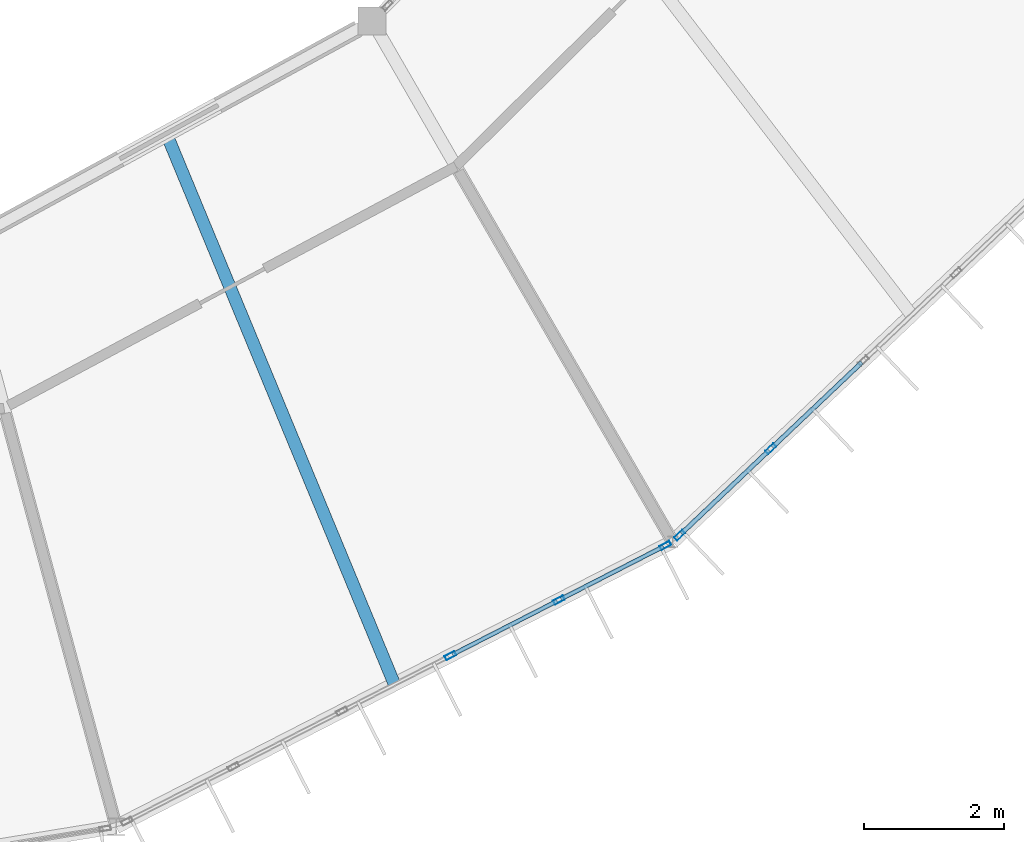
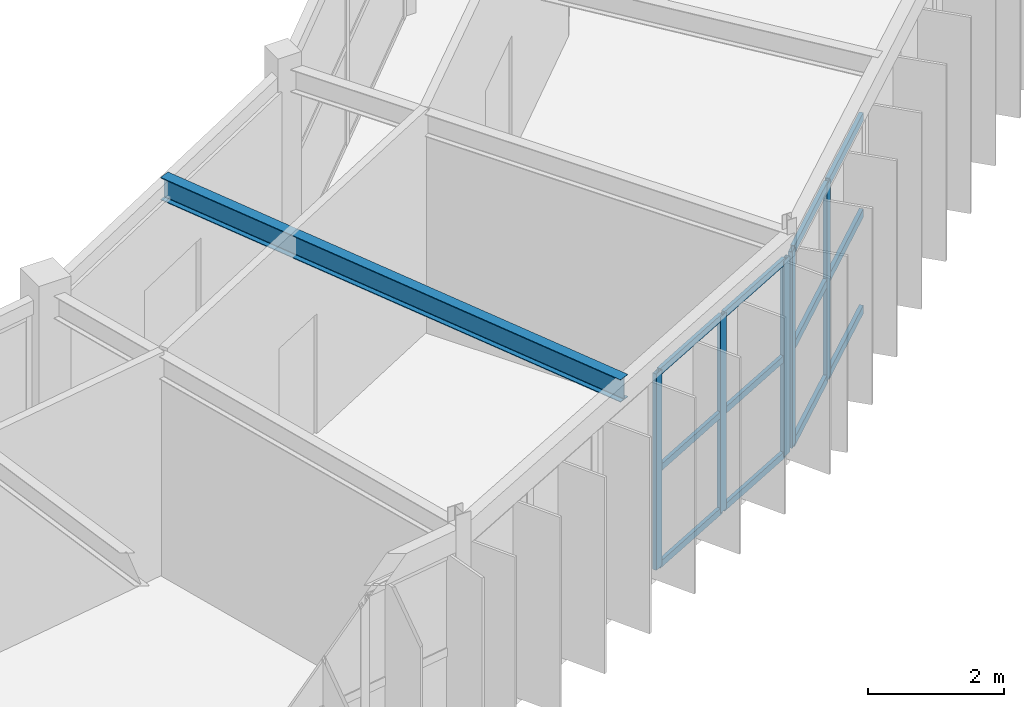
# One storey, part 35 of 106: 17 members, 1 beam, 2 elements without a shape of their own.
"""IFC4 building model written with IfcOpenShell, lengths in metres."""

from ifc_helpers import new_model, si_unit, direction, frame, origin, origin_2d, place, context, subcontext, project, spatial, hollow_rectangle, i_section, extrude, material, material_profile, profile_set, type_object, element, aggregate, save


model = new_model("IFC4")

# Units and contexts
model_context = context("Model", 3, precision=1e-05, world=origin(), true_north=direction((0.0, 1.0)))
body_context = subcontext(model_context, "Body", "Model", "MODEL_VIEW")
ifc_project = project(units=[si_unit("LENGTHUNIT", "METRE"), si_unit("AREAUNIT", "SQUARE_METRE"), si_unit("VOLUMEUNIT", "CUBIC_METRE"), si_unit("PLANEANGLEUNIT", "RADIAN"), si_unit("MASSUNIT", "GRAM", prefix="KILO")], contexts=[model_context])

# Site, building, storey
site_placement = place(None, origin())
site = spatial("IfcSite", under=ifc_project, at=site_placement, CompositionType="ELEMENT")
building_placement = place(site_placement, origin())
building = spatial("IfcBuilding", under=site, at=building_placement, Name="Karori Crest Natural Sciences Institute", CompositionType="ELEMENT")
storey_placement = place(building_placement, frame((0.0, 0.0, 25.89990234375)))
storey = spatial("IfcBuildingStorey", under=building, at=storey_placement, Name="L06", CompositionType="ELEMENT", Elevation=25.89990234375)

# Beam
ifc_material_1 = material(Name="Structural steel AS/NZS 3679.1 Grade 350", Category="steel")
ifc_material_profile_1 = material_profile(ifc_material_1, i_section(OverallWidth=0.177978515625, OverallDepth=0.406005859375, WebThickness=0.0078125, FlangeThickness=0.0126953125, FilletRadius=0.010986328125, at=origin_2d()), Name="410UB59.7")
ifc_profile_set_1 = profile_set([ifc_material_profile_1], Name="Structural steel AS/NZS 3679.1 Grade 350")
beam_type = type_object("IfcBeamType", Name="BT-07", PredefinedType="BEAM", material=ifc_profile_set_1)
beam_placement = place(storey_placement, frame((75.65771484375, 20.405517578125, 3.739990234375), z_axis=(0.382668753356, -0.923885612619, 0.0), x_axis=(0.923885612619, 0.382668753356, 0.0)))
element("IfcBeam", 1, at=beam_placement, inside=storey, type_object=beam_type, Name="Beam B-2900", PredefinedType="BEAM", context=body_context, shape_type="SweptSolid", body=[
    extrude(i_section(OverallWidth=0.177978515625, OverallDepth=0.406005859375, WebThickness=0.0078125, FlangeThickness=0.0126953125, FilletRadius=0.010986328125, at=origin_2d()), origin(), (0.0, 0.0, 1.0), 8.526123046875),
])

# Curtain wall, members
ifc_material_2 = material(Name="Anodised architectural aluminium 6063-T6", Category="aluminium")
curtain_wall_type_1 = type_object("IfcCurtainWallType", Name="CWT-10", PredefinedType="NOTDEFINED", material=ifc_material_2)
curtain_wall_1_placement = place(storey_placement, origin())
curtain_wall_1 = element("IfcCurtainWall", 2, at=curtain_wall_1_placement, inside=storey, type_object=curtain_wall_type_1, Name="Curtain wall CW-0213", PredefinedType="NOTDEFINED")
ifc_material_profile_2 = material_profile(ifc_material_2, hollow_rectangle(XDim=0.06494140625, YDim=0.159912109375, WallThickness=0.00390625, at=origin_2d()), Name="CWM160x65x4")
ifc_profile_set_2 = profile_set([ifc_material_profile_2], Name="Anodised architectural aluminium 6063-T6")
member_type_1 = type_object("IfcMemberType", Name="CWM-01", PredefinedType="MULLION", material=ifc_profile_set_2)
member_1_placement = place(storey_placement, frame((82.7958984375, 14.512939453125, 0.0), z_axis=(0.0, 0.0, 1.0), x_axis=(0.455828878252, -0.890067432138, 0.0)))
member_1 = element("IfcMember", 3, at=member_1_placement, type_object=member_type_1, Name="CW-0213 mullion 1", PredefinedType="MULLION", context=body_context, shape_type="SweptSolid", body=[
    extrude(hollow_rectangle(XDim=0.06494140625, YDim=0.159912109375, WallThickness=0.00390625, at=origin_2d()), origin(), (0.0, 0.0, 1.0), 3.525146484375),
])
member_2_placement = place(storey_placement, frame((81.273193359375, 13.73291015625, 0.0), z_axis=(0.0, 0.0, 1.0), x_axis=(0.455828878252, -0.890067432138, 0.0)))
member_2 = element("IfcMember", 4, at=member_2_placement, type_object=member_type_1, Name="CW-0213 mullion 2", PredefinedType="MULLION", context=body_context, shape_type="SweptSolid", body=[
    extrude(hollow_rectangle(XDim=0.06494140625, YDim=0.159912109375, WallThickness=0.00390625, at=origin_2d()), origin(), (0.0, 0.0, 1.0), 3.525146484375),
])
member_3_placement = place(storey_placement, frame((79.721435546875, 12.938232421875, 0.0), z_axis=(0.0, 0.0, 1.0), x_axis=(0.455828878252, -0.890067432138, 0.0)))
member_3 = element("IfcMember", 5, at=member_3_placement, type_object=member_type_1, Name="CW-0213 mullion 3", PredefinedType="MULLION", context=body_context, shape_type="SweptSolid", body=[
    extrude(hollow_rectangle(XDim=0.06494140625, YDim=0.159912109375, WallThickness=0.00390625, at=origin_2d()), origin(), (0.0, 0.0, 1.0), 3.525146484375),
])

curtain_wall_type_2 = type_object("IfcCurtainWallType", Name="CWT-01", PredefinedType="NOTDEFINED", material=ifc_material_2)
curtain_wall_2_placement = place(storey_placement, origin())
curtain_wall_2 = element("IfcCurtainWall", 6, at=curtain_wall_2_placement, inside=storey, type_object=curtain_wall_type_2, Name="Curtain wall CW-0214", PredefinedType="NOTDEFINED")
member_4_placement = place(storey_placement, frame((84.302001953125, 15.896240234375, 0.0), z_axis=(0.0, 0.0, 1.0), x_axis=(0.688250542104, -0.725473081026, 0.0)))
member_4 = element("IfcMember", 7, at=member_4_placement, type_object=member_type_1, Name="CW-0214 mullion 5", PredefinedType="MULLION", context=body_context, shape_type="SweptSolid", body=[
    extrude(hollow_rectangle(XDim=0.06494140625, YDim=0.159912109375, WallThickness=0.00390625, at=origin_2d()), origin(), (0.0, 0.0, 1.0), 3.525146484375),
])
member_5_placement = place(storey_placement, frame((82.9990234375, 14.66015625, 0.0), z_axis=(0.0, 0.0, 1.0), x_axis=(0.688250542104, -0.725473081026, 0.0)))
member_5 = element("IfcMember", 8, at=member_5_placement, type_object=member_type_1, Name="CW-0214 mullion 6", PredefinedType="MULLION", context=body_context, shape_type="SweptSolid", body=[
    extrude(hollow_rectangle(XDim=0.06494140625, YDim=0.159912109375, WallThickness=0.00390625, at=origin_2d()), origin(), (0.0, 0.0, 1.0), 3.525146484375),
])

# Member
ifc_material_profile_3 = material_profile(ifc_material_2, hollow_rectangle(XDim=0.06005859375, YDim=0.1201171875, WallThickness=0.00390625, at=origin_2d()), Name="CWT120x60x4")
ifc_profile_set_3 = profile_set([ifc_material_profile_3], Name="Anodised architectural aluminium 6063-T6")
member_type_2 = type_object("IfcMemberType", Name="CWT-TR1", PredefinedType="USERDEFINED", material=ifc_profile_set_3)
member_6_placement = place(storey_placement, frame((82.766845703125, 14.498046875, 0.030029296875), z_axis=(-0.890053640935, -0.455855806432, 0.0), x_axis=(0.455855806432, -0.890053640935, 0.0)))
member_6 = element("IfcMember", 9, at=member_6_placement, type_object=member_type_2, Name="CW-0213 transom 1.1", ObjectType="TRANSOM", PredefinedType="USERDEFINED", context=body_context, shape_type="SweptSolid", body=[
    extrude(hollow_rectangle(XDim=0.06005859375, YDim=0.1201171875, WallThickness=0.00390625, at=origin_2d()), origin(), (0.0, 0.0, 1.0), 1.645751953125),
])

member_7_placement = place(storey_placement, frame((82.766845703125, 14.498046875, 1.7626953125), z_axis=(-0.890053640935, -0.455855806432, 0.0), x_axis=(0.455855806432, -0.890053640935, 0.0)))
member_7 = element("IfcMember", 10, at=member_7_placement, type_object=member_type_2, Name="CW-0213 transom 1.2", ObjectType="TRANSOM", PredefinedType="USERDEFINED", context=body_context, shape_type="SweptSolid", body=[
    extrude(hollow_rectangle(XDim=0.06005859375, YDim=0.1201171875, WallThickness=0.00390625, at=origin_2d()), origin(), (0.0, 0.0, 1.0), 1.645751953125),
])

member_8_placement = place(storey_placement, frame((82.766845703125, 14.498046875, 3.4951171875), z_axis=(-0.890053640935, -0.455855806432, 0.0), x_axis=(0.455855806432, -0.890053640935, 0.0)))
member_8 = element("IfcMember", 11, at=member_8_placement, type_object=member_type_2, Name="CW-0213 transom 1.3", ObjectType="TRANSOM", PredefinedType="USERDEFINED", context=body_context, shape_type="SweptSolid", body=[
    extrude(hollow_rectangle(XDim=0.06005859375, YDim=0.1201171875, WallThickness=0.00390625, at=origin_2d()), origin(), (0.0, 0.0, 1.0), 1.645751953125),
])

member_9_placement = place(storey_placement, frame((81.244140625, 13.71826171875, 0.030029296875), z_axis=(-0.890050562189, -0.455861817601, 0.0), x_axis=(0.455861817601, -0.890050562189, 0.0)))
member_9 = element("IfcMember", 12, at=member_9_placement, type_object=member_type_2, Name="CW-0213 transom 2.1", ObjectType="TRANSOM", PredefinedType="USERDEFINED", context=body_context, shape_type="SweptSolid", body=[
    extrude(hollow_rectangle(XDim=0.06005859375, YDim=0.1201171875, WallThickness=0.00390625, at=origin_2d()), origin(), (0.0, 0.0, 1.0), 1.678466796875),
])

member_10_placement = place(storey_placement, frame((81.244140625, 13.71826171875, 1.7626953125), z_axis=(-0.890050562189, -0.455861817601, 0.0), x_axis=(0.455861817601, -0.890050562189, 0.0)))
member_10 = element("IfcMember", 13, at=member_10_placement, type_object=member_type_2, Name="CW-0213 transom 2.2", ObjectType="TRANSOM", PredefinedType="USERDEFINED", context=body_context, shape_type="SweptSolid", body=[
    extrude(hollow_rectangle(XDim=0.06005859375, YDim=0.1201171875, WallThickness=0.00390625, at=origin_2d()), origin(), (0.0, 0.0, 1.0), 1.678466796875),
])

member_11_placement = place(storey_placement, frame((81.244140625, 13.71826171875, 3.4951171875), z_axis=(-0.890050562189, -0.455861817601, 0.0), x_axis=(0.455861817601, -0.890050562189, 0.0)))
member_11 = element("IfcMember", 14, at=member_11_placement, type_object=member_type_2, Name="CW-0213 transom 2.3", ObjectType="TRANSOM", PredefinedType="USERDEFINED", context=body_context, shape_type="SweptSolid", body=[
    extrude(hollow_rectangle(XDim=0.06005859375, YDim=0.1201171875, WallThickness=0.00390625, at=origin_2d()), origin(), (0.0, 0.0, 1.0), 1.678466796875),
])

aggregate(curtain_wall_1, [member_1, member_2, member_3, member_6, member_7, member_8, member_9, member_10, member_11])

ifc_material_profile_4 = material_profile(ifc_material_2, hollow_rectangle(XDim=0.06494140625, YDim=0.14990234375, WallThickness=0.00390625, at=origin_2d()), Name="CWT150x65x4")
ifc_profile_set_4 = profile_set([ifc_material_profile_4], Name="Anodised architectural aluminium 6063-T6")
member_type_3 = type_object("IfcMemberType", Name="CWT-TR2", PredefinedType="USERDEFINED", material=ifc_profile_set_4)
member_12_placement = place(storey_placement, frame((85.60498046875, 17.13232421875, 0.03271484375), z_axis=(-0.725483196334, -0.688239879575, 0.0), x_axis=(0.688239879575, -0.725483196334, 0.0)))
member_12 = element("IfcMember", 15, at=member_12_placement, type_object=member_type_3, Name="CW-0214 transom 4.1", ObjectType="TRANSOM", PredefinedType="USERDEFINED", context=body_context, shape_type="SweptSolid", body=[
    extrude(hollow_rectangle(XDim=0.06494140625, YDim=0.14990234375, WallThickness=0.00390625, at=origin_2d()), origin(), (0.0, 0.0, 1.0), 1.763427734375),
])

member_13_placement = place(storey_placement, frame((85.60498046875, 17.13232421875, 1.7626953125), z_axis=(-0.725483196334, -0.688239879575, 0.0), x_axis=(0.688239879575, -0.725483196334, 0.0)))
member_13 = element("IfcMember", 16, at=member_13_placement, type_object=member_type_3, Name="CW-0214 transom 4.2", ObjectType="TRANSOM", PredefinedType="USERDEFINED", context=body_context, shape_type="SweptSolid", body=[
    extrude(hollow_rectangle(XDim=0.06494140625, YDim=0.14990234375, WallThickness=0.00390625, at=origin_2d()), origin(), (0.0, 0.0, 1.0), 1.763427734375),
])

member_14_placement = place(storey_placement, frame((85.60498046875, 17.13232421875, 3.49267578125), z_axis=(-0.725483196334, -0.688239879575, 0.0), x_axis=(0.688239879575, -0.725483196334, 0.0)))
member_14 = element("IfcMember", 17, at=member_14_placement, type_object=member_type_3, Name="CW-0214 transom 4.3", ObjectType="TRANSOM", PredefinedType="USERDEFINED", context=body_context, shape_type="SweptSolid", body=[
    extrude(hollow_rectangle(XDim=0.06494140625, YDim=0.14990234375, WallThickness=0.00390625, at=origin_2d()), origin(), (0.0, 0.0, 1.0), 1.763427734375),
])

member_15_placement = place(storey_placement, frame((84.2783203125, 15.873779296875, 0.03271484375), z_axis=(-0.725481758098, -0.688241395636, 0.0), x_axis=(0.688241395636, -0.725481758098, 0.0)))
member_15 = element("IfcMember", 18, at=member_15_placement, type_object=member_type_3, Name="CW-0214 transom 5.1", ObjectType="TRANSOM", PredefinedType="USERDEFINED", context=body_context, shape_type="SweptSolid", body=[
    extrude(hollow_rectangle(XDim=0.06494140625, YDim=0.14990234375, WallThickness=0.00390625, at=origin_2d()), origin(), (0.0, 0.0, 1.0), 1.730712890625),
])

member_16_placement = place(storey_placement, frame((84.2783203125, 15.873779296875, 1.7626953125), z_axis=(-0.725481758098, -0.688241395636, 0.0), x_axis=(0.688241395636, -0.725481758098, 0.0)))
member_16 = element("IfcMember", 19, at=member_16_placement, type_object=member_type_3, Name="CW-0214 transom 5.2", ObjectType="TRANSOM", PredefinedType="USERDEFINED", context=body_context, shape_type="SweptSolid", body=[
    extrude(hollow_rectangle(XDim=0.06494140625, YDim=0.14990234375, WallThickness=0.00390625, at=origin_2d()), origin(), (0.0, 0.0, 1.0), 1.730712890625),
])

member_17_placement = place(storey_placement, frame((84.2783203125, 15.873779296875, 3.49267578125), z_axis=(-0.725481758098, -0.688241395636, 0.0), x_axis=(0.688241395636, -0.725481758098, 0.0)))
member_17 = element("IfcMember", 20, at=member_17_placement, type_object=member_type_3, Name="CW-0214 transom 5.3", ObjectType="TRANSOM", PredefinedType="USERDEFINED", context=body_context, shape_type="SweptSolid", body=[
    extrude(hollow_rectangle(XDim=0.06494140625, YDim=0.14990234375, WallThickness=0.00390625, at=origin_2d()), origin(), (0.0, 0.0, 1.0), 1.730712890625),
])

aggregate(curtain_wall_2, [member_4, member_5, member_12, member_13, member_14, member_15, member_16, member_17])

save(model, "model.ifc")
